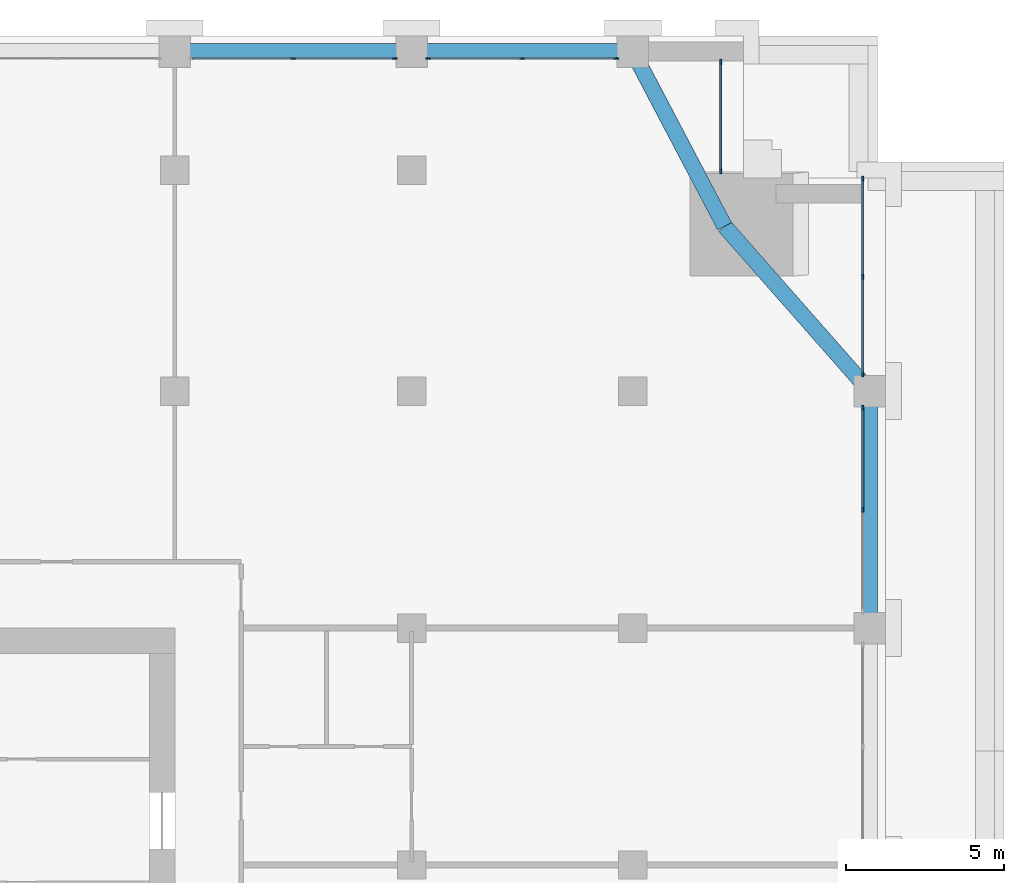
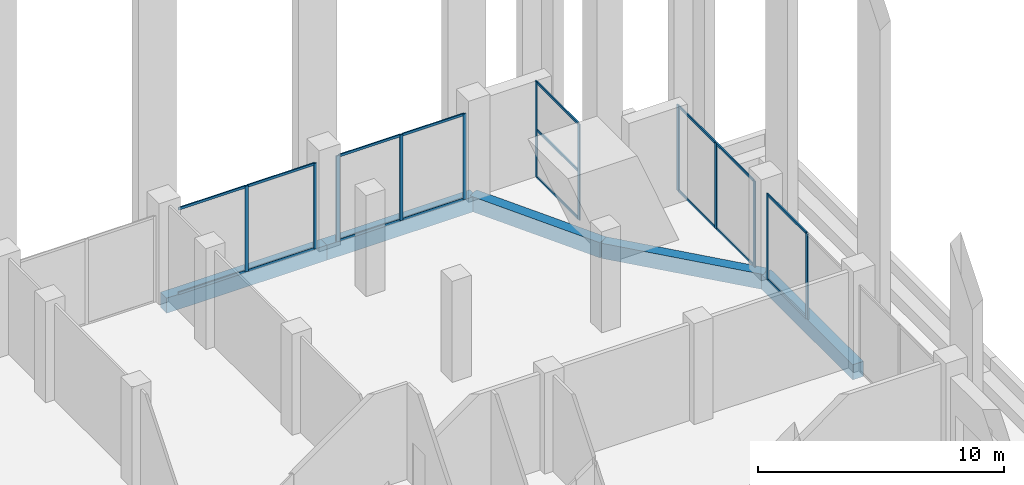
# One storey, part 8 of 19: 29 members, 5 beams, 5 elements without a shape of their own.
"""IFC4 building model written with IfcOpenShell, lengths in metres."""

from ifc_helpers import new_model, si_unit, direction, frame, origin, origin_2d, place, context, subcontext, project, spatial, rectangle, extrude, material, layer, layer_set, material_profile, profile_set, type_object, element, aggregate, save


model = new_model("IFC4")

# Units and contexts
model_context = context("Model", 3, precision=1e-05, world=origin(), true_north=direction((0.0, 1.0)))
body_context = subcontext(model_context, "Body", "Model", "MODEL_VIEW")
ifc_project = project(units=[si_unit("LENGTHUNIT", "METRE"), si_unit("AREAUNIT", "SQUARE_METRE"), si_unit("VOLUMEUNIT", "CUBIC_METRE"), si_unit("PLANEANGLEUNIT", "RADIAN"), si_unit("MASSUNIT", "GRAM", prefix="KILO")], contexts=[model_context])

# Site, building, storey
site_placement = place(None, origin())
site = spatial("IfcSite", under=ifc_project, at=site_placement, CompositionType="ELEMENT")
building_placement = place(site_placement, origin())
building = spatial("IfcBuilding", under=site, at=building_placement, Name="Tamorin Gate", CompositionType="ELEMENT")
storey_placement = place(building_placement, frame((0.0, 0.0, 174.199951171875)))
storey = spatial("IfcBuildingStorey", under=building, at=storey_placement, Name="L42", CompositionType="ELEMENT", Elevation=174.199951171875)

# Curtain wall, members
ifc_material_1 = material(Name="Aluminium mullions and transoms with clear glass", Category="aluminium")
ifc_layer = layer(ifc_material_1, 0.159912109375)
ifc_layer_set = layer_set([ifc_layer], Name="Curtain wall system CW2")
curtain_wall_type = type_object("IfcCurtainWallType", Name="Curtain wall system CW2", PredefinedType="NOTDEFINED", material=ifc_layer_set)
curtain_wall_1_placement = place(storey_placement, origin())
curtain_wall_1 = element("IfcCurtainWall", 1, at=curtain_wall_1_placement, inside=storey, type_object=curtain_wall_type, Name="Curtain wall", PredefinedType="NOTDEFINED")
ifc_material_2 = material(Name="Aluminium", Category="aluminium")
ifc_material_profile_1 = material_profile(ifc_material_2, rectangle(XDim=0.06005859375, YDim=0.159912109375, at=origin_2d()), Name="RECT 60x160")
ifc_profile_set_1 = profile_set([ifc_material_profile_1], Name="Aluminium")
member_type_1 = type_object("IfcMemberType", Name="Aluminium mullion 60x160", PredefinedType="MULLION", material=ifc_profile_set_1)
member_1_placement = place(storey_placement, frame((81.780029296875, 86.25, 0.0), z_axis=(0.0, 0.0, 1.0), x_axis=(-1.0, 0.0, 0.0)))
member_1 = element("IfcMember", 2, at=member_1_placement, type_object=member_type_1, Name="CW2 mullion 2", PredefinedType="MULLION", context=body_context, shape_type="SweptSolid", body=[
    extrude(rectangle(XDim=0.06005859375, YDim=0.159912109375, at=origin_2d()), origin(), (0.0, 0.0, 1.0), 4.25),
])
member_2_placement = place(storey_placement, frame((81.780029296875, 89.469970703125, 0.0), z_axis=(0.0, 0.0, 1.0), x_axis=(-1.0, 0.0, 0.0)))
member_2 = element("IfcMember", 3, at=member_2_placement, type_object=member_type_1, Name="CW2 mullion 3", PredefinedType="MULLION", context=body_context, shape_type="SweptSolid", body=[
    extrude(rectangle(XDim=0.06005859375, YDim=0.159912109375, at=origin_2d()), origin(), (0.0, 0.0, 1.0), 4.25),
])

curtain_wall_2_placement = place(storey_placement, origin())
curtain_wall_2 = element("IfcCurtainWall", 4, at=curtain_wall_2_placement, inside=storey, type_object=curtain_wall_type, Name="Curtain wall", PredefinedType="NOTDEFINED")
member_3_placement = place(storey_placement, frame((81.780029296875, 90.530029296875, 0.0), z_axis=(0.0, 0.0, 1.0), x_axis=(-1.0, 0.0, 0.0)))
member_3 = element("IfcMember", 5, at=member_3_placement, type_object=member_type_1, Name="CW2 mullion 1", PredefinedType="MULLION", context=body_context, shape_type="SweptSolid", body=[
    extrude(rectangle(XDim=0.06005859375, YDim=0.159912109375, at=origin_2d()), origin(), (0.0, 0.0, 1.0), 4.25),
])
member_4_placement = place(storey_placement, frame((81.780029296875, 93.625, 0.0), z_axis=(0.0, 0.0, 1.0), x_axis=(-1.0, 0.0, 0.0)))
member_4 = element("IfcMember", 6, at=member_4_placement, type_object=member_type_1, Name="CW2 mullion 2", PredefinedType="MULLION", context=body_context, shape_type="SweptSolid", body=[
    extrude(rectangle(XDim=0.06005859375, YDim=0.159912109375, at=origin_2d()), origin(), (0.0, 0.0, 1.0), 4.25),
])
member_5_placement = place(storey_placement, frame((81.780029296875, 96.719970703125, 0.0), z_axis=(0.0, 0.0, 1.0), x_axis=(-1.0, 0.0, 0.0)))
member_5 = element("IfcMember", 7, at=member_5_placement, type_object=member_type_1, Name="CW2 mullion 3", PredefinedType="MULLION", context=body_context, shape_type="SweptSolid", body=[
    extrude(rectangle(XDim=0.06005859375, YDim=0.159912109375, at=origin_2d()), origin(), (0.0, 0.0, 1.0), 4.25),
])

curtain_wall_3_placement = place(storey_placement, origin())
curtain_wall_3 = element("IfcCurtainWall", 8, at=curtain_wall_3_placement, inside=storey, type_object=curtain_wall_type, Name="Curtain wall", PredefinedType="NOTDEFINED")
member_6_placement = place(storey_placement, frame((77.280029296875, 96.967529296875, 0.0), z_axis=(0.0, 0.0, 1.0), x_axis=(-1.0, 0.0, 0.0)))
member_6 = element("IfcMember", 9, at=member_6_placement, type_object=member_type_1, Name="CW2 mullion 1", PredefinedType="MULLION", context=body_context, shape_type="SweptSolid", body=[
    extrude(rectangle(XDim=0.06005859375, YDim=0.159912109375, at=origin_2d()), origin(), (0.0, 0.0, 1.0), 4.75),
])
member_7_placement = place(storey_placement, frame((77.280029296875, 100.419921875, 0.0), z_axis=(0.0, 0.0, 1.0), x_axis=(-1.0, 0.0, 0.0)))
member_7 = element("IfcMember", 10, at=member_7_placement, type_object=member_type_1, Name="CW2 mullion 2", PredefinedType="MULLION", context=body_context, shape_type="SweptSolid", body=[
    extrude(rectangle(XDim=0.06005859375, YDim=0.159912109375, at=origin_2d()), origin(), (0.0, 0.0, 1.0), 4.75),
])

curtain_wall_4_placement = place(storey_placement, origin())
curtain_wall_4 = element("IfcCurtainWall", 11, at=curtain_wall_4_placement, inside=storey, type_object=curtain_wall_type, Name="Curtain wall", PredefinedType="NOTDEFINED")
member_8_placement = place(storey_placement, frame((73.969970703125, 100.530029296875, 0.0), z_axis=(0.0, 0.0, 1.0), x_axis=(0.0, -1.0, 0.0)))
member_8 = element("IfcMember", 12, at=member_8_placement, type_object=member_type_1, Name="CW2 mullion 1", PredefinedType="MULLION", context=body_context, shape_type="SweptSolid", body=[
    extrude(rectangle(XDim=0.06005859375, YDim=0.159912109375, at=origin_2d()), origin(), (0.0, 0.0, 1.0), 4.25),
])
member_9_placement = place(storey_placement, frame((71.0, 100.530029296875, 0.0), z_axis=(0.0, 0.0, 1.0), x_axis=(0.0, -1.0, 0.0)))
member_9 = element("IfcMember", 13, at=member_9_placement, type_object=member_type_1, Name="CW2 mullion 2", PredefinedType="MULLION", context=body_context, shape_type="SweptSolid", body=[
    extrude(rectangle(XDim=0.06005859375, YDim=0.159912109375, at=origin_2d()), origin(), (0.0, 0.0, 1.0), 4.25),
])
member_10_placement = place(storey_placement, frame((68.030029296875, 100.530029296875, 0.0), z_axis=(0.0, 0.0, 1.0), x_axis=(0.0, -1.0, 0.0)))
member_10 = element("IfcMember", 14, at=member_10_placement, type_object=member_type_1, Name="CW2 mullion 3", PredefinedType="MULLION", context=body_context, shape_type="SweptSolid", body=[
    extrude(rectangle(XDim=0.06005859375, YDim=0.159912109375, at=origin_2d()), origin(), (0.0, 0.0, 1.0), 4.25),
])

curtain_wall_5_placement = place(storey_placement, origin())
curtain_wall_5 = element("IfcCurtainWall", 15, at=curtain_wall_5_placement, inside=storey, type_object=curtain_wall_type, Name="Curtain wall", PredefinedType="NOTDEFINED")
member_11_placement = place(storey_placement, frame((66.969970703125, 100.530029296875, 0.0), z_axis=(0.0, 0.0, 1.0), x_axis=(0.0, -1.0, 0.0)))
member_11 = element("IfcMember", 16, at=member_11_placement, type_object=member_type_1, Name="CW2 mullion 1", PredefinedType="MULLION", context=body_context, shape_type="SweptSolid", body=[
    extrude(rectangle(XDim=0.06005859375, YDim=0.159912109375, at=origin_2d()), origin(), (0.0, 0.0, 1.0), 4.25),
])
member_12_placement = place(storey_placement, frame((63.75, 100.530029296875, 0.0), z_axis=(0.0, 0.0, 1.0), x_axis=(0.0, -1.0, 0.0)))
member_12 = element("IfcMember", 17, at=member_12_placement, type_object=member_type_1, Name="CW2 mullion 2", PredefinedType="MULLION", context=body_context, shape_type="SweptSolid", body=[
    extrude(rectangle(XDim=0.06005859375, YDim=0.159912109375, at=origin_2d()), origin(), (0.0, 0.0, 1.0), 4.25),
])

# Member
ifc_material_profile_2 = material_profile(ifc_material_2, rectangle(XDim=0.06005859375, YDim=0.1201171875, at=origin_2d()), Name="RECT 60x120")
ifc_profile_set_2 = profile_set([ifc_material_profile_2], Name="Aluminium")
member_type_2 = type_object("IfcMemberType", Name="Aluminium transom 60x120", PredefinedType="USERDEFINED", material=ifc_profile_set_2)
member_13_placement = place(storey_placement, frame((81.780029296875, 86.280029296875, 0.030029296875), z_axis=(0.0, 1.0, 0.0), x_axis=(-1.0, 0.0, 0.0)))
member_13 = element("IfcMember", 18, at=member_13_placement, type_object=member_type_2, Name="CW2 transom 2.1", ObjectType="TRANSOM", PredefinedType="USERDEFINED", context=body_context, shape_type="SweptSolid", body=[
    extrude(rectangle(XDim=0.06005859375, YDim=0.1201171875, at=origin_2d()), origin(), (0.0, 0.0, 1.0), 3.159912109375),
])

member_14_placement = place(storey_placement, frame((81.780029296875, 86.280029296875, 4.219970703125), z_axis=(0.0, 1.0, 0.0), x_axis=(-1.0, 0.0, 0.0)))
member_14 = element("IfcMember", 19, at=member_14_placement, type_object=member_type_2, Name="CW2 transom 2.2", ObjectType="TRANSOM", PredefinedType="USERDEFINED", context=body_context, shape_type="SweptSolid", body=[
    extrude(rectangle(XDim=0.06005859375, YDim=0.1201171875, at=origin_2d()), origin(), (0.0, 0.0, 1.0), 3.159912109375),
])

aggregate(curtain_wall_1, [member_1, member_2, member_13, member_14])

member_15_placement = place(storey_placement, frame((81.780029296875, 90.56005859375, 0.030029296875), z_axis=(0.0, 1.0, 0.0), x_axis=(-1.0, 0.0, 0.0)))
member_15 = element("IfcMember", 20, at=member_15_placement, type_object=member_type_2, Name="CW2 transom 1.1", ObjectType="TRANSOM", PredefinedType="USERDEFINED", context=body_context, shape_type="SweptSolid", body=[
    extrude(rectangle(XDim=0.06005859375, YDim=0.1201171875, at=origin_2d()), origin(), (0.0, 0.0, 1.0), 3.034912109375),
])

member_16_placement = place(storey_placement, frame((81.780029296875, 90.56005859375, 4.219970703125), z_axis=(0.0, 1.0, 0.0), x_axis=(-1.0, 0.0, 0.0)))
member_16 = element("IfcMember", 21, at=member_16_placement, type_object=member_type_2, Name="CW2 transom 1.2", ObjectType="TRANSOM", PredefinedType="USERDEFINED", context=body_context, shape_type="SweptSolid", body=[
    extrude(rectangle(XDim=0.06005859375, YDim=0.1201171875, at=origin_2d()), origin(), (0.0, 0.0, 1.0), 3.034912109375),
])

member_17_placement = place(storey_placement, frame((81.780029296875, 93.655029296875, 0.030029296875), z_axis=(0.0, 1.0, 0.0), x_axis=(-1.0, 0.0, 0.0)))
member_17 = element("IfcMember", 22, at=member_17_placement, type_object=member_type_2, Name="CW2 transom 2.1", ObjectType="TRANSOM", PredefinedType="USERDEFINED", context=body_context, shape_type="SweptSolid", body=[
    extrude(rectangle(XDim=0.06005859375, YDim=0.1201171875, at=origin_2d()), origin(), (0.0, 0.0, 1.0), 3.034912109375),
])

member_18_placement = place(storey_placement, frame((81.780029296875, 93.655029296875, 4.219970703125), z_axis=(0.0, 1.0, 0.0), x_axis=(-1.0, 0.0, 0.0)))
member_18 = element("IfcMember", 23, at=member_18_placement, type_object=member_type_2, Name="CW2 transom 2.2", ObjectType="TRANSOM", PredefinedType="USERDEFINED", context=body_context, shape_type="SweptSolid", body=[
    extrude(rectangle(XDim=0.06005859375, YDim=0.1201171875, at=origin_2d()), origin(), (0.0, 0.0, 1.0), 3.034912109375),
])

aggregate(curtain_wall_2, [member_3, member_4, member_5, member_15, member_16, member_17, member_18])

member_19_placement = place(storey_placement, frame((77.280029296875, 96.99755859375, 0.030029296875), z_axis=(0.0, 1.0, 0.0), x_axis=(-1.0, 0.0, 0.0)))
member_19 = element("IfcMember", 24, at=member_19_placement, type_object=member_type_2, Name="CW2 transom 1.1", ObjectType="TRANSOM", PredefinedType="USERDEFINED", context=body_context, shape_type="SweptSolid", body=[
    extrude(rectangle(XDim=0.06005859375, YDim=0.1201171875, at=origin_2d()), origin(), (0.0, 0.0, 1.0), 3.392333984375),
])

member_20_placement = place(storey_placement, frame((77.280029296875, 96.99755859375, 2.375), z_axis=(0.0, 1.0, 0.0), x_axis=(-1.0, 0.0, 0.0)))
member_20 = element("IfcMember", 25, at=member_20_placement, type_object=member_type_2, Name="CW2 transom 1.2", ObjectType="TRANSOM", PredefinedType="USERDEFINED", context=body_context, shape_type="SweptSolid", body=[
    extrude(rectangle(XDim=0.06005859375, YDim=0.1201171875, at=origin_2d()), origin(), (0.0, 0.0, 1.0), 3.392333984375),
])

member_21_placement = place(storey_placement, frame((77.280029296875, 96.99755859375, 4.719970703125), z_axis=(0.0, 1.0, 0.0), x_axis=(-1.0, 0.0, 0.0)))
member_21 = element("IfcMember", 26, at=member_21_placement, type_object=member_type_2, Name="CW2 transom 1.3", ObjectType="TRANSOM", PredefinedType="USERDEFINED", context=body_context, shape_type="SweptSolid", body=[
    extrude(rectangle(XDim=0.06005859375, YDim=0.1201171875, at=origin_2d()), origin(), (0.0, 0.0, 1.0), 3.392333984375),
])

aggregate(curtain_wall_3, [member_6, member_7, member_19, member_20, member_21])

member_22_placement = place(storey_placement, frame((73.93994140625, 100.530029296875, 0.030029296875), z_axis=(-1.0, 0.0, 0.0), x_axis=(0.0, -1.0, 0.0)))
member_22 = element("IfcMember", 27, at=member_22_placement, type_object=member_type_2, Name="CW2 transom 1.1", ObjectType="TRANSOM", PredefinedType="USERDEFINED", context=body_context, shape_type="SweptSolid", body=[
    extrude(rectangle(XDim=0.06005859375, YDim=0.1201171875, at=origin_2d()), origin(), (0.0, 0.0, 1.0), 2.909912109375),
])

member_23_placement = place(storey_placement, frame((73.93994140625, 100.530029296875, 4.219970703125), z_axis=(-1.0, 0.0, 0.0), x_axis=(0.0, -1.0, 0.0)))
member_23 = element("IfcMember", 28, at=member_23_placement, type_object=member_type_2, Name="CW2 transom 1.2", ObjectType="TRANSOM", PredefinedType="USERDEFINED", context=body_context, shape_type="SweptSolid", body=[
    extrude(rectangle(XDim=0.06005859375, YDim=0.1201171875, at=origin_2d()), origin(), (0.0, 0.0, 1.0), 2.909912109375),
])

member_24_placement = place(storey_placement, frame((70.969970703125, 100.530029296875, 0.030029296875), z_axis=(-1.0, 0.0, 0.0), x_axis=(0.0, -1.0, 0.0)))
member_24 = element("IfcMember", 29, at=member_24_placement, type_object=member_type_2, Name="CW2 transom 2.1", ObjectType="TRANSOM", PredefinedType="USERDEFINED", context=body_context, shape_type="SweptSolid", body=[
    extrude(rectangle(XDim=0.06005859375, YDim=0.1201171875, at=origin_2d()), origin(), (0.0, 0.0, 1.0), 2.909912109375),
])

member_25_placement = place(storey_placement, frame((70.969970703125, 100.530029296875, 4.219970703125), z_axis=(-1.0, 0.0, 0.0), x_axis=(0.0, -1.0, 0.0)))
member_25 = element("IfcMember", 30, at=member_25_placement, type_object=member_type_2, Name="CW2 transom 2.2", ObjectType="TRANSOM", PredefinedType="USERDEFINED", context=body_context, shape_type="SweptSolid", body=[
    extrude(rectangle(XDim=0.06005859375, YDim=0.1201171875, at=origin_2d()), origin(), (0.0, 0.0, 1.0), 2.909912109375),
])

aggregate(curtain_wall_4, [member_8, member_9, member_10, member_22, member_23, member_24, member_25])

member_26_placement = place(storey_placement, frame((66.93994140625, 100.530029296875, 0.030029296875), z_axis=(-1.0, 0.0, 0.0), x_axis=(0.0, -1.0, 0.0)))
member_26 = element("IfcMember", 31, at=member_26_placement, type_object=member_type_2, Name="CW2 transom 1.1", ObjectType="TRANSOM", PredefinedType="USERDEFINED", context=body_context, shape_type="SweptSolid", body=[
    extrude(rectangle(XDim=0.06005859375, YDim=0.1201171875, at=origin_2d()), origin(), (0.0, 0.0, 1.0), 3.159912109375),
])

member_27_placement = place(storey_placement, frame((66.93994140625, 100.530029296875, 4.219970703125), z_axis=(-1.0, 0.0, 0.0), x_axis=(0.0, -1.0, 0.0)))
member_27 = element("IfcMember", 32, at=member_27_placement, type_object=member_type_2, Name="CW2 transom 1.2", ObjectType="TRANSOM", PredefinedType="USERDEFINED", context=body_context, shape_type="SweptSolid", body=[
    extrude(rectangle(XDim=0.06005859375, YDim=0.1201171875, at=origin_2d()), origin(), (0.0, 0.0, 1.0), 3.159912109375),
])

member_28_placement = place(storey_placement, frame((63.719970703125, 100.530029296875, 0.030029296875), z_axis=(-1.0, 0.0, 0.0), x_axis=(0.0, -1.0, 0.0)))
member_28 = element("IfcMember", 33, at=member_28_placement, type_object=member_type_2, Name="CW2 transom 2.1", ObjectType="TRANSOM", PredefinedType="USERDEFINED", context=body_context, shape_type="SweptSolid", body=[
    extrude(rectangle(XDim=0.06005859375, YDim=0.1201171875, at=origin_2d()), origin(), (0.0, 0.0, 1.0), 3.159912109375),
])

member_29_placement = place(storey_placement, frame((63.719970703125, 100.530029296875, 4.219970703125), z_axis=(-1.0, 0.0, 0.0), x_axis=(0.0, -1.0, 0.0)))
member_29 = element("IfcMember", 34, at=member_29_placement, type_object=member_type_2, Name="CW2 transom 2.2", ObjectType="TRANSOM", PredefinedType="USERDEFINED", context=body_context, shape_type="SweptSolid", body=[
    extrude(rectangle(XDim=0.06005859375, YDim=0.1201171875, at=origin_2d()), origin(), (0.0, 0.0, 1.0), 3.159912109375),
])

aggregate(curtain_wall_5, [member_11, member_12, member_26, member_27, member_28, member_29])

# Beams
ifc_material_3 = material(Name="Concrete C50/60", Category="concrete")
ifc_material_profile_3 = material_profile(ifc_material_3, rectangle(XDim=0.5, YDim=0.75, at=origin_2d()), Name="RC 500x750")
ifc_profile_set_3 = profile_set([ifc_material_profile_3], Name="Concrete C50/60")
beam_type = type_object("IfcBeamType", Name="RC spandrel 500x750 C50/60", PredefinedType="BEAM", material=ifc_profile_set_3)
beam_1_placement = place(storey_placement, frame((82.0, 82.5, -0.375), z_axis=(0.0, 1.0, 0.0), x_axis=(-1.0, 0.0, 0.0)))
element("IfcBeam", 35, at=beam_1_placement, inside=storey, type_object=beam_type, Name="Spandrel beam L42", PredefinedType="BEAM", context=body_context, shape_type="SweptSolid", body=[
    extrude(rectangle(XDim=0.5, YDim=0.75, at=origin_2d()), origin(), (0.0, 0.0, 1.0), 7.5),
])
beam_2_placement = place(storey_placement, frame((74.5, 100.75, -0.375), z_axis=(-1.0, 0.0, 0.0), x_axis=(0.0, -1.0, 0.0)))
element("IfcBeam", 36, at=beam_2_placement, inside=storey, type_object=beam_type, Name="Spandrel beam L42", PredefinedType="BEAM", context=body_context, shape_type="SweptSolid", body=[
    extrude(rectangle(XDim=0.5, YDim=0.75, at=origin_2d()), origin(), (0.0, 0.0, 1.0), 7.0),
])
beam_3_placement = place(storey_placement, frame((67.5, 100.75, -0.375), z_axis=(-1.0, 0.0, 0.0), x_axis=(0.0, -1.0, 0.0)))
element("IfcBeam", 37, at=beam_3_placement, inside=storey, type_object=beam_type, Name="Spandrel beam L42", PredefinedType="BEAM", context=body_context, shape_type="SweptSolid", body=[
    extrude(rectangle(XDim=0.5, YDim=0.75, at=origin_2d()), origin(), (0.0, 0.0, 1.0), 7.5),
])
beam_4_placement = place(storey_placement, frame((77.40625, 95.21875, -0.375), z_axis=(-0.465127927773, 0.885243475438, 0.0), x_axis=(-0.885243475438, -0.465127927773, 0.0)))
element("IfcBeam", 38, at=beam_4_placement, inside=storey, type_object=beam_type, Name="Corner tie beam L42", PredefinedType="BEAM", context=body_context, shape_type="SweptSolid", body=[
    extrude(rectangle(XDim=0.5, YDim=0.75, at=origin_2d()), origin(), (0.0, 0.0, 1.0), 6.248291015625),
])
beam_5_placement = place(storey_placement, frame((77.40625, 95.21875, -0.375), z_axis=(0.660729213414, -0.75062434449, 0.0), x_axis=(0.75062434449, 0.660729213414, 0.0)))
element("IfcBeam", 39, at=beam_5_placement, inside=storey, type_object=beam_type, Name="Corner tie beam L42", PredefinedType="BEAM", context=body_context, shape_type="SweptSolid", body=[
    extrude(rectangle(XDim=0.5, YDim=0.75, at=origin_2d()), origin(), (0.0, 0.0, 1.0), 6.95263671875),
])

save(model, "model.ifc")
